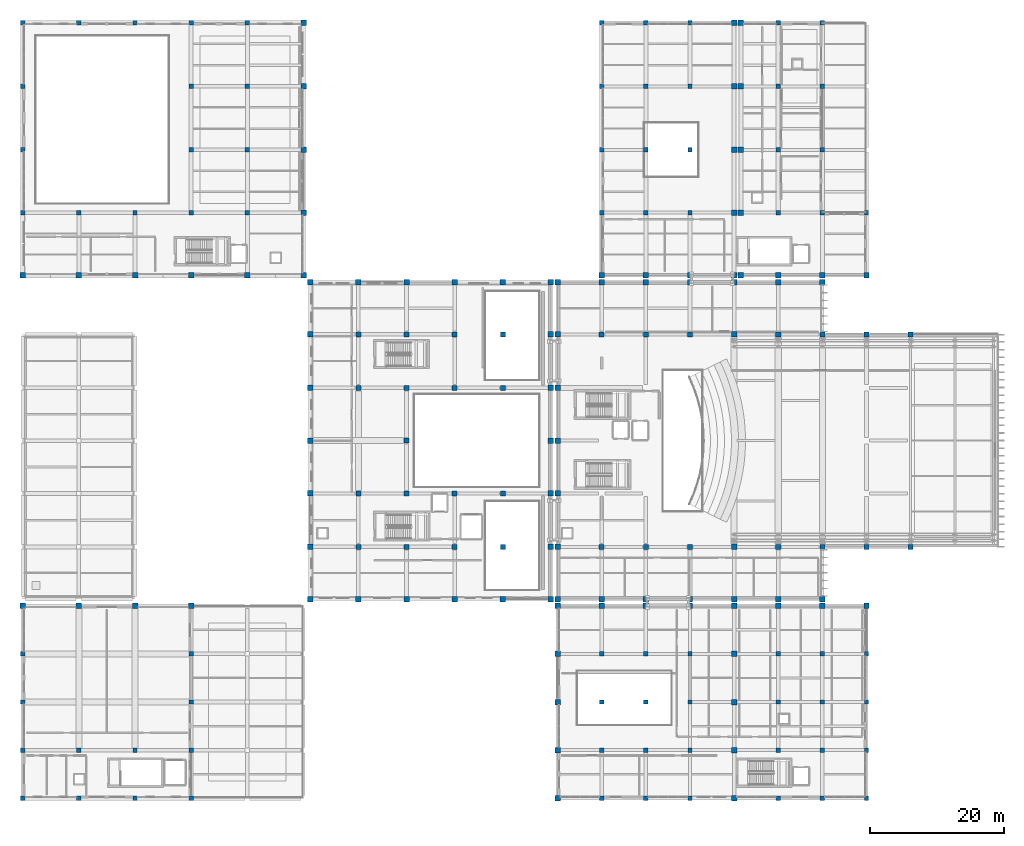
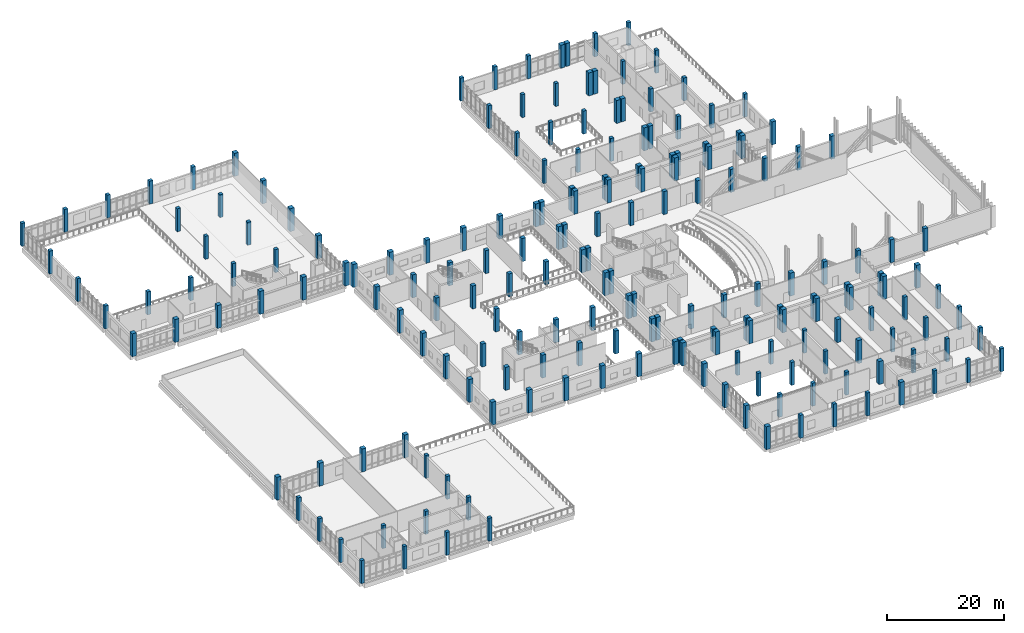
# One storey, part 1 of 73: 193 columns.
"""IFC4 building model written with IfcOpenShell, lengths in metres."""

from ifc_helpers import new_model, si_unit, direction, frame, origin, origin_2d, place, context, subcontext, project, spatial, rectangle, extrude, material, material_profile, profile_set, type_object, element, save


model = new_model("IFC4")

# Units and contexts
model_context = context("Model", 3, precision=1e-05, world=origin(), true_north=direction((0.0, 1.0)))
body_context = subcontext(model_context, "Body", "Model", "MODEL_VIEW")
ifc_project = project(units=[si_unit("LENGTHUNIT", "METRE"), si_unit("AREAUNIT", "SQUARE_METRE"), si_unit("VOLUMEUNIT", "CUBIC_METRE"), si_unit("PLANEANGLEUNIT", "RADIAN"), si_unit("MASSUNIT", "GRAM", prefix="KILO")], contexts=[model_context])

# Site, building, storey
site_placement = place(None, origin())
site = spatial("IfcSite", under=ifc_project, at=site_placement, CompositionType="ELEMENT")
building_placement = place(site_placement, origin())
building = spatial("IfcBuilding", under=site, at=building_placement, Name="Kelarvand Opera House", CompositionType="ELEMENT")
storey_placement = place(building_placement, frame((0.0, 0.0, 10.199951171875)))
storey = spatial("IfcBuildingStorey", under=building, at=storey_placement, Name="L02", CompositionType="ELEMENT", Elevation=10.199951171875)

# Columns
ifc_material = material(Name="Concrete C40/50", Category="concrete")
ifc_material_profile_1 = material_profile(ifc_material, rectangle(XDim=0.64990234375, YDim=0.64990234375, at=origin_2d()), Name="RC 650x650", Category="concrete")
ifc_profile_set_1 = profile_set([ifc_material_profile_1], Name="Concrete C40/50")
column_type_1 = type_object("IfcColumnType", Name="Structural Column RC 650x650 (Ext) COL-650E", PredefinedType="COLUMN", material=ifc_profile_set_1)
for number, where, z_axis, x_axis, name in (
    (1, (9.0, 96.60009765625, 0.0), (0.0, 0.0, 1.0), (1.0, 0.0, 0.0), "V3 Column COL-650E at L02"),
    (2, (9.0, 106.0, 0.0), (0.0, 0.0, 1.0), (1.0, 0.0, 0.0), "V3 Column COL-650E at L02"),
    (3, (9.0, 115.5, 0.0), (0.0, 0.0, 1.0), (1.0, 0.0, 0.0), "V3 Column COL-650E at L02"),
    (4, (9.0, 125.0, 0.0), (0.0, 0.0, 1.0), (1.0, 0.0, 0.0), "V3 Column COL-650E at L02"),
    (5, (17.39990234375, 125.0, 0.0), (0.0, 0.0, 1.0), (1.0, 0.0, 0.0), "V3 Column COL-650E at L02"),
    (6, (25.800048828125, 125.0, 0.0), (0.0, 0.0, 1.0), (1.0, 0.0, 0.0), "V3 Column COL-650E at L02"),
    (7, (34.199951171875, 125.0, 0.0), (0.0, 0.0, 1.0), (1.0, 0.0, 0.0), "V3 Column COL-650E at L02"),
    (8, (42.60009765625, 125.0, 0.0), (0.0, 0.0, 1.0), (1.0, 0.0, 0.0), "V3 Column COL-650E at L02"),
    (9, (9.0, 9.0, 0.0), (0.0, 0.0, 1.0), (1.0, 0.0, 0.0), "V4 Column COL-650E at L02"),
    (10, (9.0, 16.199951171875, 0.0), (0.0, 0.0, 1.0), (1.0, 0.0, 0.0), "V4 Column COL-650E at L02"),
    (11, (9.0, 23.39990234375, 0.0), (0.0, 0.0, 1.0), (1.0, 0.0, 0.0), "V4 Column COL-650E at L02"),
    (12, (9.0, 30.60009765625, 0.0), (0.0, 0.0, 1.0), (1.0, 0.0, 0.0), "V4 Column COL-650E at L02"),
    (13, (17.39990234375, 9.0, 0.0), (0.0, 0.0, 1.0), (1.0, 0.0, 0.0), "V4 Column COL-650E at L02"),
    (14, (25.800048828125, 9.0, 0.0), (0.0, 0.0, 1.0), (1.0, 0.0, 0.0), "V4 Column COL-650E at L02"),
    (15, (34.199951171875, 9.0, 0.0), (0.0, 0.0, 1.0), (1.0, 0.0, 0.0), "V4 Column COL-650E at L02"),
    (16, (95.60009765625, 96.60009765625, 0.0), (0.0, 0.0, 1.0), (1.0, 0.0, 0.0), "V5 Column COL-650E at L02"),
    (17, (95.60009765625, 106.0, 0.0), (0.0, 0.0, 1.0), (1.0, 0.0, 0.0), "V5 Column COL-650E at L02"),
    (18, (95.60009765625, 115.5, 0.0), (0.0, 0.0, 1.0), (1.0, 0.0, 0.0), "V5 Column COL-650E at L02"),
    (19, (95.60009765625, 125.0, 0.0), (0.0, 0.0, 1.0), (1.0, 0.0, 0.0), "V5 Column COL-650E at L02"),
    (20, (102.199951171875, 125.0, 0.0), (0.0, 0.0, 1.0), (1.0, 0.0, 0.0), "V5 Column COL-650E at L02"),
    (21, (108.800048828125, 125.0, 0.0), (0.0, 0.0, 1.0), (1.0, 0.0, 0.0), "V5 Column COL-650E at L02"),
    (22, (122.0, 125.0, 0.0), (0.0, 0.0, 1.0), (1.0, 0.0, 0.0), "V5 Column COL-650E at L02"),
    (23, (128.60009765625, 125.0, 0.0), (0.0, 0.0, 1.0), (1.0, 0.0, 0.0), "V5 Column COL-650E at L02"),
    (24, (135.199951171875, 96.60009765625, 0.0), (0.0, 0.0, 1.0), (1.0, 0.0, 0.0), "V5 Column COL-650E at L02"),
    (25, (95.60009765625, 9.0, 0.0), (0.0, 0.0, 1.0), (1.0, 0.0, 0.0), "V6 Column COL-650E at L02"),
    (26, (102.199951171875, 9.0, 0.0), (0.0, 0.0, 1.0), (1.0, 0.0, 0.0), "V6 Column COL-650E at L02"),
    (27, (108.800048828125, 9.0, 0.0), (0.0, 0.0, 1.0), (1.0, 0.0, 0.0), "V6 Column COL-650E at L02"),
    (28, (122.0, 9.0, 0.0), (0.0, 0.0, 1.0), (1.0, 0.0, 0.0), "V6 Column COL-650E at L02"),
    (29, (128.60009765625, 9.0, 0.0), (0.0, 0.0, 1.0), (1.0, 0.0, 0.0), "V6 Column COL-650E at L02"),
    (30, (135.199951171875, 9.0, 0.0), (0.0, 0.0, 1.0), (1.0, 0.0, 0.0), "V6 Column COL-650E at L02"),
):
    element("IfcColumn", number, at=place(storey_placement, frame(where, z_axis=z_axis, x_axis=x_axis)), inside=storey, type_object=column_type_1, Name=name, PredefinedType="COLUMN", context=body_context, shape_type="SweptSolid", body=[
        extrude(rectangle(XDim=0.64990234375, YDim=0.64990234375, at=origin_2d()), origin(), (0.0, 0.0, 1.0), 4.800048828125),
    ])
ifc_material_profile_2 = material_profile(ifc_material, rectangle(XDim=0.64990234375, YDim=0.64990234375, at=origin_2d()), Name="RC 650x650", Category="concrete")
ifc_profile_set_2 = profile_set([ifc_material_profile_2], Name="Concrete C40/50")
column_type_2 = type_object("IfcColumnType", Name="Structural Column RC 650x650 (Int) COL-650", PredefinedType="COLUMN", material=ifc_profile_set_2)
for number, where, z_axis, x_axis, name in (
    (31, (17.39990234375, 96.60009765625, 0.0), (0.0, 0.0, 1.0), (1.0, 0.0, 0.0), "V3 Column COL-650 at L02"),
    (32, (25.800048828125, 96.60009765625, 0.0), (0.0, 0.0, 1.0), (1.0, 0.0, 0.0), "V3 Column COL-650 at L02"),
    (33, (34.199951171875, 96.60009765625, 0.0), (0.0, 0.0, 1.0), (1.0, 0.0, 0.0), "V3 Column COL-650 at L02"),
    (34, (34.199951171875, 106.0, 0.0), (0.0, 0.0, 1.0), (1.0, 0.0, 0.0), "V3 Column COL-650 at L02"),
    (35, (34.199951171875, 115.5, 0.0), (0.0, 0.0, 1.0), (1.0, 0.0, 0.0), "V3 Column COL-650 at L02"),
    (36, (42.60009765625, 96.60009765625, 0.0), (0.0, 0.0, 1.0), (1.0, 0.0, 0.0), "V3 Column COL-650 at L02"),
    (37, (42.60009765625, 106.0, 0.0), (0.0, 0.0, 1.0), (1.0, 0.0, 0.0), "V3 Column COL-650 at L02"),
    (38, (42.60009765625, 115.5, 0.0), (0.0, 0.0, 1.0), (1.0, 0.0, 0.0), "V3 Column COL-650 at L02"),
    (39, (17.39990234375, 16.199951171875, 0.0), (0.0, 0.0, 1.0), (1.0, 0.0, 0.0), "V4 Column COL-650 at L02"),
    (40, (25.800048828125, 16.199951171875, 0.0), (0.0, 0.0, 1.0), (1.0, 0.0, 0.0), "V4 Column COL-650 at L02"),
    (41, (34.199951171875, 16.199951171875, 0.0), (0.0, 0.0, 1.0), (1.0, 0.0, 0.0), "V4 Column COL-650 at L02"),
    (42, (34.199951171875, 23.39990234375, 0.0), (0.0, 0.0, 1.0), (1.0, 0.0, 0.0), "V4 Column COL-650 at L02"),
    (43, (34.199951171875, 30.60009765625, 0.0), (0.0, 0.0, 1.0), (1.0, 0.0, 0.0), "V4 Column COL-650 at L02"),
    (44, (102.199951171875, 96.60009765625, 0.0), (0.0, 0.0, 1.0), (1.0, 0.0, 0.0), "V5 Column COL-650 at L02"),
    (45, (102.199951171875, 106.0, 0.0), (0.0, 0.0, 1.0), (1.0, 0.0, 0.0), "V5 Column COL-650 at L02"),
    (46, (102.199951171875, 115.5, 0.0), (0.0, 0.0, 1.0), (1.0, 0.0, 0.0), "V5 Column COL-650 at L02"),
    (47, (108.800048828125, 96.60009765625, 0.0), (0.0, 0.0, 1.0), (1.0, 0.0, 0.0), "V5 Column COL-650 at L02"),
    (48, (108.800048828125, 106.0, 0.0), (0.0, 0.0, 1.0), (1.0, 0.0, 0.0), "V5 Column COL-650 at L02"),
    (49, (108.800048828125, 115.5, 0.0), (0.0, 0.0, 1.0), (1.0, 0.0, 0.0), "V5 Column COL-650 at L02"),
    (50, (122.0, 96.60009765625, 0.0), (0.0, 0.0, 1.0), (1.0, 0.0, 0.0), "V5 Column COL-650 at L02"),
    (51, (122.0, 106.0, 0.0), (0.0, 0.0, 1.0), (1.0, 0.0, 0.0), "V5 Column COL-650 at L02"),
    (52, (122.0, 115.5, 0.0), (0.0, 0.0, 1.0), (1.0, 0.0, 0.0), "V5 Column COL-650 at L02"),
    (53, (128.60009765625, 96.60009765625, 0.0), (0.0, 0.0, 1.0), (1.0, 0.0, 0.0), "V5 Column COL-650 at L02"),
    (54, (128.60009765625, 106.0, 0.0), (0.0, 0.0, 1.0), (1.0, 0.0, 0.0), "V5 Column COL-650 at L02"),
    (55, (128.60009765625, 115.5, 0.0), (0.0, 0.0, 1.0), (1.0, 0.0, 0.0), "V5 Column COL-650 at L02"),
    (56, (95.60009765625, 16.199951171875, 0.0), (0.0, 0.0, 1.0), (1.0, 0.0, 0.0), "V6 Column COL-650 at L02"),
    (57, (95.60009765625, 23.39990234375, 0.0), (0.0, 0.0, 1.0), (1.0, 0.0, 0.0), "V6 Column COL-650 at L02"),
    (58, (95.60009765625, 30.60009765625, 0.0), (0.0, 0.0, 1.0), (1.0, 0.0, 0.0), "V6 Column COL-650 at L02"),
    (59, (102.199951171875, 16.199951171875, 0.0), (0.0, 0.0, 1.0), (1.0, 0.0, 0.0), "V6 Column COL-650 at L02"),
    (60, (102.199951171875, 23.39990234375, 0.0), (0.0, 0.0, 1.0), (1.0, 0.0, 0.0), "V6 Column COL-650 at L02"),
    (61, (102.199951171875, 30.60009765625, 0.0), (0.0, 0.0, 1.0), (1.0, 0.0, 0.0), "V6 Column COL-650 at L02"),
    (62, (108.800048828125, 16.199951171875, 0.0), (0.0, 0.0, 1.0), (1.0, 0.0, 0.0), "V6 Column COL-650 at L02"),
    (63, (108.800048828125, 23.39990234375, 0.0), (0.0, 0.0, 1.0), (1.0, 0.0, 0.0), "V6 Column COL-650 at L02"),
    (64, (108.800048828125, 30.60009765625, 0.0), (0.0, 0.0, 1.0), (1.0, 0.0, 0.0), "V6 Column COL-650 at L02"),
    (65, (122.0, 16.199951171875, 0.0), (0.0, 0.0, 1.0), (1.0, 0.0, 0.0), "V6 Column COL-650 at L02"),
    (66, (122.0, 23.39990234375, 0.0), (0.0, 0.0, 1.0), (1.0, 0.0, 0.0), "V6 Column COL-650 at L02"),
    (67, (122.0, 30.60009765625, 0.0), (0.0, 0.0, 1.0), (1.0, 0.0, 0.0), "V6 Column COL-650 at L02"),
    (68, (128.60009765625, 16.199951171875, 0.0), (0.0, 0.0, 1.0), (1.0, 0.0, 0.0), "V6 Column COL-650 at L02"),
    (69, (128.60009765625, 23.39990234375, 0.0), (0.0, 0.0, 1.0), (1.0, 0.0, 0.0), "V6 Column COL-650 at L02"),
    (70, (128.60009765625, 30.60009765625, 0.0), (0.0, 0.0, 1.0), (1.0, 0.0, 0.0), "V6 Column COL-650 at L02"),
    (71, (135.199951171875, 16.199951171875, 0.0), (0.0, 0.0, 1.0), (1.0, 0.0, 0.0), "V6 Column COL-650 at L02"),
    (72, (135.199951171875, 23.39990234375, 0.0), (0.0, 0.0, 1.0), (1.0, 0.0, 0.0), "V6 Column COL-650 at L02"),
    (73, (135.199951171875, 30.60009765625, 0.0), (0.0, 0.0, 1.0), (1.0, 0.0, 0.0), "V6 Column COL-650 at L02"),
):
    element("IfcColumn", number, at=place(storey_placement, frame(where, z_axis=z_axis, x_axis=x_axis)), inside=storey, type_object=column_type_2, Name=name, PredefinedType="COLUMN", context=body_context, shape_type="SweptSolid", body=[
        extrude(rectangle(XDim=0.64990234375, YDim=0.64990234375, at=origin_2d()), origin(), (0.0, 0.0, 1.0), 4.800048828125),
    ])
ifc_material_profile_3 = material_profile(ifc_material, rectangle(XDim=0.75, YDim=0.75, at=origin_2d()), Name="RC 750x750", Category="concrete")
ifc_profile_set_3 = profile_set([ifc_material_profile_3], Name="Concrete C40/50")
column_type_3 = type_object("IfcColumnType", Name="Structural Column RC 750x750 (Int) COL-750", PredefinedType="COLUMN", material=ifc_profile_set_3)
for number, where, z_axis, x_axis, name in (
    (74, (95.60009765625, 46.60009765625, 0.0), (0.0, 0.0, 1.0), (1.0, 0.0, 0.0), "V1 Column COL-750 at L02"),
    (75, (95.60009765625, 78.39990234375, 0.0), (0.0, 0.0, 1.0), (1.0, 0.0, 0.0), "V1 Column COL-750 at L02"),
    (76, (102.199951171875, 46.60009765625, 0.0), (0.0, 0.0, 1.0), (1.0, 0.0, 0.0), "V1 Column COL-750 at L02"),
    (77, (102.199951171875, 78.39990234375, 0.0), (0.0, 0.0, 1.0), (1.0, 0.0, 0.0), "V1 Column COL-750 at L02"),
    (78, (108.800048828125, 46.60009765625, 0.0), (0.0, 0.0, 1.0), (1.0, 0.0, 0.0), "V1 Column COL-750 at L02"),
    (79, (108.800048828125, 78.39990234375, 0.0), (0.0, 0.0, 1.0), (1.0, 0.0, 0.0), "V1 Column COL-750 at L02"),
    (80, (122.0, 46.60009765625, 0.0), (0.0, 0.0, 1.0), (1.0, 0.0, 0.0), "V1 Column COL-750 at L02"),
    (81, (122.0, 78.39990234375, 0.0), (0.0, 0.0, 1.0), (1.0, 0.0, 0.0), "V1 Column COL-750 at L02"),
    (82, (128.60009765625, 46.60009765625, 0.0), (0.0, 0.0, 1.0), (1.0, 0.0, 0.0), "V1 Column COL-750 at L02"),
    (83, (128.60009765625, 78.39990234375, 0.0), (0.0, 0.0, 1.0), (1.0, 0.0, 0.0), "V1 Column COL-750 at L02"),
    (84, (135.199951171875, 46.60009765625, 0.0), (0.0, 0.0, 1.0), (1.0, 0.0, 0.0), "V1 Column COL-750 at L02"),
    (85, (135.199951171875, 78.39990234375, 0.0), (0.0, 0.0, 1.0), (1.0, 0.0, 0.0), "V1 Column COL-750 at L02"),
    (86, (141.800048828125, 46.60009765625, 0.0), (0.0, 0.0, 1.0), (1.0, 0.0, 0.0), "V1 Column COL-750 at L02"),
    (87, (141.800048828125, 78.39990234375, 0.0), (0.0, 0.0, 1.0), (1.0, 0.0, 0.0), "V1 Column COL-750 at L02"),
    (88, (59.199951171875, 46.60009765625, 0.0), (0.0, 0.0, 1.0), (1.0, 0.0, 0.0), "V2 Column COL-750 at L02"),
    (89, (59.199951171875, 54.60009765625, 0.0), (0.0, 0.0, 1.0), (1.0, 0.0, 0.0), "V2 Column COL-750 at L02"),
    (90, (59.199951171875, 70.39990234375, 0.0), (0.0, 0.0, 1.0), (1.0, 0.0, 0.0), "V2 Column COL-750 at L02"),
    (91, (59.199951171875, 78.39990234375, 0.0), (0.0, 0.0, 1.0), (1.0, 0.0, 0.0), "V2 Column COL-750 at L02"),
    (92, (66.39990234375, 46.60009765625, 0.0), (0.0, 0.0, 1.0), (1.0, 0.0, 0.0), "V2 Column COL-750 at L02"),
    (93, (66.39990234375, 54.60009765625, 0.0), (0.0, 0.0, 1.0), (1.0, 0.0, 0.0), "V2 Column COL-750 at L02"),
    (94, (66.39990234375, 62.5, 0.0), (0.0, 0.0, 1.0), (1.0, 0.0, 0.0), "V2 Column COL-750 at L02"),
    (95, (66.39990234375, 70.39990234375, 0.0), (0.0, 0.0, 1.0), (1.0, 0.0, 0.0), "V2 Column COL-750 at L02"),
    (96, (66.39990234375, 78.39990234375, 0.0), (0.0, 0.0, 1.0), (1.0, 0.0, 0.0), "V2 Column COL-750 at L02"),
    (97, (73.60009765625, 46.60009765625, 0.0), (0.0, 0.0, 1.0), (1.0, 0.0, 0.0), "V2 Column COL-750 at L02"),
    (98, (73.60009765625, 54.60009765625, 0.0), (0.0, 0.0, 1.0), (1.0, 0.0, 0.0), "V2 Column COL-750 at L02"),
    (99, (73.60009765625, 70.39990234375, 0.0), (0.0, 0.0, 1.0), (1.0, 0.0, 0.0), "V2 Column COL-750 at L02"),
    (100, (73.60009765625, 78.39990234375, 0.0), (0.0, 0.0, 1.0), (1.0, 0.0, 0.0), "V2 Column COL-750 at L02"),
    (101, (80.800048828125, 46.60009765625, 0.0), (0.0, 0.0, 1.0), (1.0, 0.0, 0.0), "V2 Column COL-750 at L02"),
    (102, (80.800048828125, 54.60009765625, 0.0), (0.0, 0.0, 1.0), (1.0, 0.0, 0.0), "V2 Column COL-750 at L02"),
    (103, (80.800048828125, 70.39990234375, 0.0), (0.0, 0.0, 1.0), (1.0, 0.0, 0.0), "V2 Column COL-750 at L02"),
    (104, (80.800048828125, 78.39990234375, 0.0), (0.0, 0.0, 1.0), (1.0, 0.0, 0.0), "V2 Column COL-750 at L02"),
):
    element("IfcColumn", number, at=place(storey_placement, frame(where, z_axis=z_axis, x_axis=x_axis)), inside=storey, type_object=column_type_3, Name=name, PredefinedType="COLUMN", context=body_context, shape_type="SweptSolid", body=[
        extrude(rectangle(XDim=0.75, YDim=0.75, at=origin_2d()), origin(), (0.0, 0.0, 1.0), 4.800048828125),
    ])
ifc_material_profile_4 = material_profile(ifc_material, rectangle(XDim=0.820068359375, YDim=0.820068359375, at=origin_2d()), Name="RC 820x820", Category="concrete")
ifc_profile_set_4 = profile_set([ifc_material_profile_4], Name="Concrete C40/50")
column_type_4 = type_object("IfcColumnType", Name="Structural Column RC 820x820 (Int) COL-820", PredefinedType="COLUMN", material=ifc_profile_set_4)
for number, where, z_axis, x_axis, name in (
    (105, (89.0, 38.800048828125, 0.0), (0.0, 0.0, 1.0), (1.0, 0.0, 0.0), "V1 Column COL-820 at L02"),
    (106, (89.0, 46.60009765625, 0.0), (0.0, 0.0, 1.0), (1.0, 0.0, 0.0), "V1 Column COL-820 at L02"),
    (107, (89.0, 54.60009765625, 0.0), (0.0, 0.0, 1.0), (1.0, 0.0, 0.0), "V1 Column COL-820 at L02"),
    (108, (89.0, 62.5, 0.0), (0.0, 0.0, 1.0), (1.0, 0.0, 0.0), "V1 Column COL-820 at L02"),
    (109, (89.0, 70.39990234375, 0.0), (0.0, 0.0, 1.0), (1.0, 0.0, 0.0), "V1 Column COL-820 at L02"),
    (110, (89.0, 78.39990234375, 0.0), (0.0, 0.0, 1.0), (1.0, 0.0, 0.0), "V1 Column COL-820 at L02"),
    (111, (89.0, 86.199951171875, 0.0), (0.0, 0.0, 1.0), (1.0, 0.0, 0.0), "V1 Column COL-820 at L02"),
    (112, (95.60009765625, 38.800048828125, 0.0), (0.0, 0.0, 1.0), (1.0, 0.0, 0.0), "V1 Column COL-820 at L02"),
    (113, (95.60009765625, 86.199951171875, 0.0), (0.0, 0.0, 1.0), (1.0, 0.0, 0.0), "V1 Column COL-820 at L02"),
    (114, (102.199951171875, 38.800048828125, 0.0), (0.0, 0.0, 1.0), (1.0, 0.0, 0.0), "V1 Column COL-820 at L02"),
    (115, (102.199951171875, 86.199951171875, 0.0), (0.0, 0.0, 1.0), (1.0, 0.0, 0.0), "V1 Column COL-820 at L02"),
    (116, (108.800048828125, 38.800048828125, 0.0), (0.0, 0.0, 1.0), (1.0, 0.0, 0.0), "V1 Column COL-820 at L02"),
    (117, (108.800048828125, 86.199951171875, 0.0), (0.0, 0.0, 1.0), (1.0, 0.0, 0.0), "V1 Column COL-820 at L02"),
    (118, (115.39990234375, 38.800048828125, 0.0), (0.0, 0.0, 1.0), (1.0, 0.0, 0.0), "V1 Column COL-820 at L02"),
    (119, (115.39990234375, 46.60009765625, 0.0), (0.0, 0.0, 1.0), (1.0, 0.0, 0.0), "V1 Column COL-820 at L02"),
    (120, (115.39990234375, 78.39990234375, 0.0), (0.0, 0.0, 1.0), (1.0, 0.0, 0.0), "V1 Column COL-820 at L02"),
    (121, (115.39990234375, 86.199951171875, 0.0), (0.0, 0.0, 1.0), (1.0, 0.0, 0.0), "V1 Column COL-820 at L02"),
    (122, (122.0, 38.800048828125, 0.0), (0.0, 0.0, 1.0), (1.0, 0.0, 0.0), "V1 Column COL-820 at L02"),
    (123, (122.0, 86.199951171875, 0.0), (0.0, 0.0, 1.0), (1.0, 0.0, 0.0), "V1 Column COL-820 at L02"),
    (124, (128.60009765625, 38.800048828125, 0.0), (0.0, 0.0, 1.0), (1.0, 0.0, 0.0), "V1 Column COL-820 at L02"),
    (125, (128.60009765625, 86.199951171875, 0.0), (0.0, 0.0, 1.0), (1.0, 0.0, 0.0), "V1 Column COL-820 at L02"),
    (126, (52.0, 38.800048828125, 0.0), (0.0, 0.0, 1.0), (1.0, 0.0, 0.0), "V2 Column COL-820 at L02"),
    (127, (52.0, 46.60009765625, 0.0), (0.0, 0.0, 1.0), (1.0, 0.0, 0.0), "V2 Column COL-820 at L02"),
    (128, (52.0, 54.60009765625, 0.0), (0.0, 0.0, 1.0), (1.0, 0.0, 0.0), "V2 Column COL-820 at L02"),
    (129, (52.0, 62.5, 0.0), (0.0, 0.0, 1.0), (1.0, 0.0, 0.0), "V2 Column COL-820 at L02"),
    (130, (52.0, 70.39990234375, 0.0), (0.0, 0.0, 1.0), (1.0, 0.0, 0.0), "V2 Column COL-820 at L02"),
    (131, (52.0, 78.39990234375, 0.0), (0.0, 0.0, 1.0), (1.0, 0.0, 0.0), "V2 Column COL-820 at L02"),
    (132, (52.0, 86.199951171875, 0.0), (0.0, 0.0, 1.0), (1.0, 0.0, 0.0), "V2 Column COL-820 at L02"),
    (133, (59.199951171875, 38.800048828125, 0.0), (0.0, 0.0, 1.0), (1.0, 0.0, 0.0), "V2 Column COL-820 at L02"),
    (134, (59.199951171875, 86.199951171875, 0.0), (0.0, 0.0, 1.0), (1.0, 0.0, 0.0), "V2 Column COL-820 at L02"),
    (135, (66.39990234375, 38.800048828125, 0.0), (0.0, 0.0, 1.0), (1.0, 0.0, 0.0), "V2 Column COL-820 at L02"),
    (136, (66.39990234375, 86.199951171875, 0.0), (0.0, 0.0, 1.0), (1.0, 0.0, 0.0), "V2 Column COL-820 at L02"),
    (137, (73.60009765625, 38.800048828125, 0.0), (0.0, 0.0, 1.0), (1.0, 0.0, 0.0), "V2 Column COL-820 at L02"),
    (138, (73.60009765625, 86.199951171875, 0.0), (0.0, 0.0, 1.0), (1.0, 0.0, 0.0), "V2 Column COL-820 at L02"),
    (139, (80.800048828125, 38.800048828125, 0.0), (0.0, 0.0, 1.0), (1.0, 0.0, 0.0), "V2 Column COL-820 at L02"),
    (140, (80.800048828125, 86.199951171875, 0.0), (0.0, 0.0, 1.0), (1.0, 0.0, 0.0), "V2 Column COL-820 at L02"),
    (141, (88.0, 38.800048828125, 0.0), (0.0, 0.0, 1.0), (1.0, 0.0, 0.0), "V2 Column COL-820 at L02"),
    (142, (88.0, 46.60009765625, 0.0), (0.0, 0.0, 1.0), (1.0, 0.0, 0.0), "V2 Column COL-820 at L02"),
    (143, (88.0, 54.60009765625, 0.0), (0.0, 0.0, 1.0), (1.0, 0.0, 0.0), "V2 Column COL-820 at L02"),
    (144, (88.0, 62.5, 0.0), (0.0, 0.0, 1.0), (1.0, 0.0, 0.0), "V2 Column COL-820 at L02"),
    (145, (88.0, 70.39990234375, 0.0), (0.0, 0.0, 1.0), (1.0, 0.0, 0.0), "V2 Column COL-820 at L02"),
    (146, (88.0, 78.39990234375, 0.0), (0.0, 0.0, 1.0), (1.0, 0.0, 0.0), "V2 Column COL-820 at L02"),
    (147, (88.0, 86.199951171875, 0.0), (0.0, 0.0, 1.0), (1.0, 0.0, 0.0), "V2 Column COL-820 at L02"),
    (148, (9.0, 87.199951171875, 0.0), (0.0, 0.0, 1.0), (1.0, 0.0, 0.0), "V3 Column COL-820 at L02"),
    (149, (17.39990234375, 87.199951171875, 0.0), (0.0, 0.0, 1.0), (1.0, 0.0, 0.0), "V3 Column COL-820 at L02"),
    (150, (25.800048828125, 87.199951171875, 0.0), (0.0, 0.0, 1.0), (1.0, 0.0, 0.0), "V3 Column COL-820 at L02"),
    (151, (34.199951171875, 87.199951171875, 0.0), (0.0, 0.0, 1.0), (1.0, 0.0, 0.0), "V3 Column COL-820 at L02"),
    (152, (42.60009765625, 87.199951171875, 0.0), (0.0, 0.0, 1.0), (1.0, 0.0, 0.0), "V3 Column COL-820 at L02"),
    (153, (51.0, 87.199951171875, 0.0), (0.0, 0.0, 1.0), (1.0, 0.0, 0.0), "V3 Column COL-820 at L02"),
    (154, (51.0, 96.60009765625, 0.0), (0.0, 0.0, 1.0), (1.0, 0.0, 0.0), "V3 Column COL-820 at L02"),
    (155, (51.0, 106.0, 0.0), (0.0, 0.0, 1.0), (1.0, 0.0, 0.0), "V3 Column COL-820 at L02"),
    (156, (51.0, 115.5, 0.0), (0.0, 0.0, 1.0), (1.0, 0.0, 0.0), "V3 Column COL-820 at L02"),
    (157, (51.0, 125.0, 0.0), (0.0, 0.0, 1.0), (1.0, 0.0, 0.0), "V3 Column COL-820 at L02"),
    (158, (9.0, 37.800048828125, 0.0), (0.0, 0.0, 1.0), (1.0, 0.0, 0.0), "V4 Column COL-820 at L02"),
    (159, (17.39990234375, 37.800048828125, 0.0), (0.0, 0.0, 1.0), (1.0, 0.0, 0.0), "V4 Column COL-820 at L02"),
    (160, (25.800048828125, 37.800048828125, 0.0), (0.0, 0.0, 1.0), (1.0, 0.0, 0.0), "V4 Column COL-820 at L02"),
    (161, (34.199951171875, 37.800048828125, 0.0), (0.0, 0.0, 1.0), (1.0, 0.0, 0.0), "V4 Column COL-820 at L02"),
    (162, (95.60009765625, 87.199951171875, 0.0), (0.0, 0.0, 1.0), (1.0, 0.0, 0.0), "V5 Column COL-820 at L02"),
    (163, (102.199951171875, 87.199951171875, 0.0), (0.0, 0.0, 1.0), (1.0, 0.0, 0.0), "V5 Column COL-820 at L02"),
    (164, (108.800048828125, 87.199951171875, 0.0), (0.0, 0.0, 1.0), (1.0, 0.0, 0.0), "V5 Column COL-820 at L02"),
    (165, (115.39990234375, 87.199951171875, 0.0), (0.0, 0.0, 1.0), (1.0, 0.0, 0.0), "V5 Column COL-820 at L02"),
    (166, (115.39990234375, 96.60009765625, 0.0), (0.0, 0.0, 1.0), (1.0, 0.0, 0.0), "V5 Column COL-820 at L02"),
    (167, (115.39990234375, 106.0, 0.0), (0.0, 0.0, 1.0), (1.0, 0.0, 0.0), "V5 Column COL-820 at L02"),
    (168, (115.39990234375, 115.5, 0.0), (0.0, 0.0, 1.0), (1.0, 0.0, 0.0), "V5 Column COL-820 at L02"),
    (169, (115.39990234375, 125.0, 0.0), (0.0, 0.0, 1.0), (1.0, 0.0, 0.0), "V5 Column COL-820 at L02"),
    (170, (116.39990234375, 87.199951171875, 0.0), (0.0, 0.0, 1.0), (1.0, 0.0, 0.0), "V5 Column COL-820 at L02"),
    (171, (116.39990234375, 96.60009765625, 0.0), (0.0, 0.0, 1.0), (1.0, 0.0, 0.0), "V5 Column COL-820 at L02"),
    (172, (116.39990234375, 106.0, 0.0), (0.0, 0.0, 1.0), (1.0, 0.0, 0.0), "V5 Column COL-820 at L02"),
    (173, (116.39990234375, 115.5, 0.0), (0.0, 0.0, 1.0), (1.0, 0.0, 0.0), "V5 Column COL-820 at L02"),
    (174, (116.39990234375, 125.0, 0.0), (0.0, 0.0, 1.0), (1.0, 0.0, 0.0), "V5 Column COL-820 at L02"),
    (175, (122.0, 87.199951171875, 0.0), (0.0, 0.0, 1.0), (1.0, 0.0, 0.0), "V5 Column COL-820 at L02"),
    (176, (128.60009765625, 87.199951171875, 0.0), (0.0, 0.0, 1.0), (1.0, 0.0, 0.0), "V5 Column COL-820 at L02"),
    (177, (135.199951171875, 87.199951171875, 0.0), (0.0, 0.0, 1.0), (1.0, 0.0, 0.0), "V5 Column COL-820 at L02"),
    (178, (89.0, 9.0, 0.0), (0.0, 0.0, 1.0), (1.0, 0.0, 0.0), "V6 Column COL-820 at L02"),
    (179, (89.0, 16.199951171875, 0.0), (0.0, 0.0, 1.0), (1.0, 0.0, 0.0), "V6 Column COL-820 at L02"),
    (180, (89.0, 23.39990234375, 0.0), (0.0, 0.0, 1.0), (1.0, 0.0, 0.0), "V6 Column COL-820 at L02"),
    (181, (89.0, 30.60009765625, 0.0), (0.0, 0.0, 1.0), (1.0, 0.0, 0.0), "V6 Column COL-820 at L02"),
    (182, (89.0, 37.800048828125, 0.0), (0.0, 0.0, 1.0), (1.0, 0.0, 0.0), "V6 Column COL-820 at L02"),
    (183, (95.60009765625, 37.800048828125, 0.0), (0.0, 0.0, 1.0), (1.0, 0.0, 0.0), "V6 Column COL-820 at L02"),
    (184, (102.199951171875, 37.800048828125, 0.0), (0.0, 0.0, 1.0), (1.0, 0.0, 0.0), "V6 Column COL-820 at L02"),
    (185, (108.800048828125, 37.800048828125, 0.0), (0.0, 0.0, 1.0), (1.0, 0.0, 0.0), "V6 Column COL-820 at L02"),
    (186, (115.39990234375, 9.0, 0.0), (0.0, 0.0, 1.0), (1.0, 0.0, 0.0), "V6 Column COL-820 at L02"),
    (187, (115.39990234375, 16.199951171875, 0.0), (0.0, 0.0, 1.0), (1.0, 0.0, 0.0), "V6 Column COL-820 at L02"),
    (188, (115.39990234375, 23.39990234375, 0.0), (0.0, 0.0, 1.0), (1.0, 0.0, 0.0), "V6 Column COL-820 at L02"),
    (189, (115.39990234375, 30.60009765625, 0.0), (0.0, 0.0, 1.0), (1.0, 0.0, 0.0), "V6 Column COL-820 at L02"),
    (190, (115.39990234375, 37.800048828125, 0.0), (0.0, 0.0, 1.0), (1.0, 0.0, 0.0), "V6 Column COL-820 at L02"),
    (191, (122.0, 37.800048828125, 0.0), (0.0, 0.0, 1.0), (1.0, 0.0, 0.0), "V6 Column COL-820 at L02"),
    (192, (128.60009765625, 37.800048828125, 0.0), (0.0, 0.0, 1.0), (1.0, 0.0, 0.0), "V6 Column COL-820 at L02"),
    (193, (135.199951171875, 37.800048828125, 0.0), (0.0, 0.0, 1.0), (1.0, 0.0, 0.0), "V6 Column COL-820 at L02"),
):
    element("IfcColumn", number, at=place(storey_placement, frame(where, z_axis=z_axis, x_axis=x_axis)), inside=storey, type_object=column_type_4, Name=name, PredefinedType="COLUMN", context=body_context, shape_type="SweptSolid", body=[
        extrude(rectangle(XDim=0.820068359375, YDim=0.820068359375, at=origin_2d()), origin(), (0.0, 0.0, 1.0), 4.800048828125),
    ])

save(model, "model.ifc")
